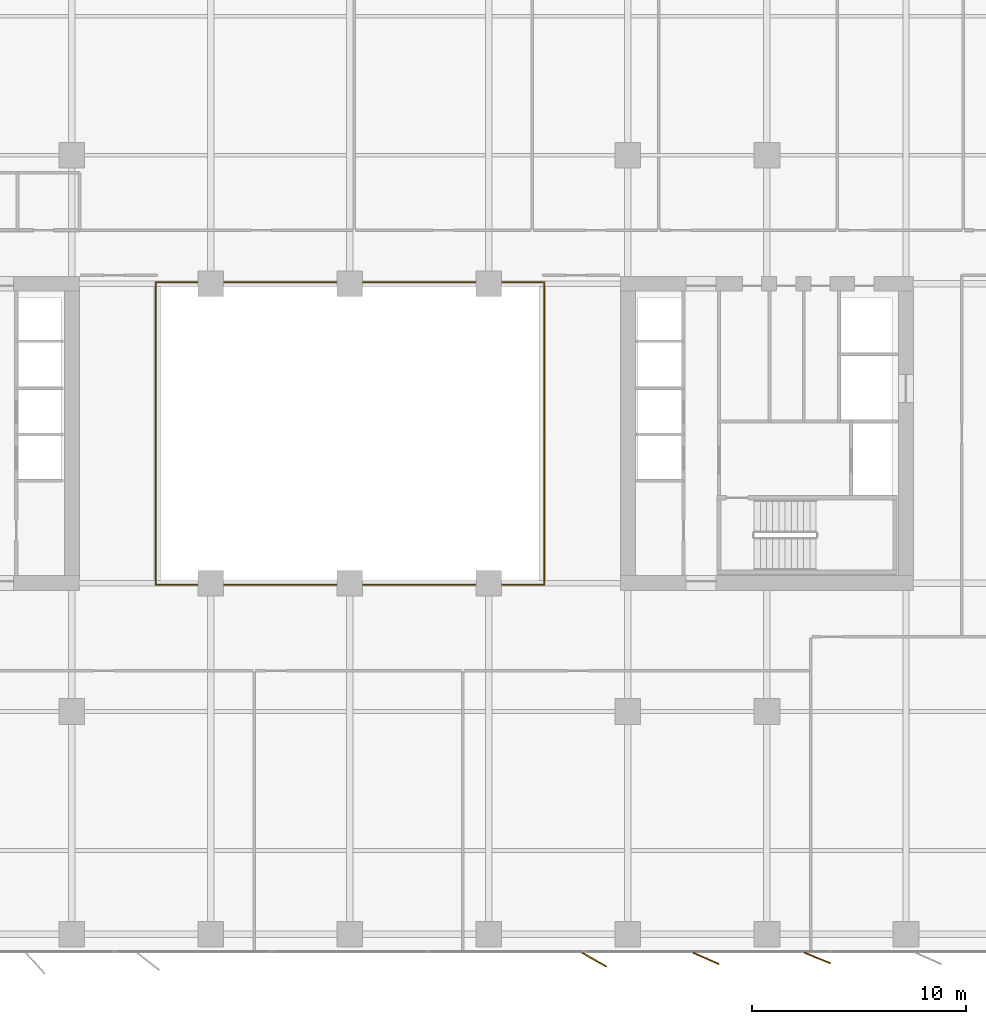
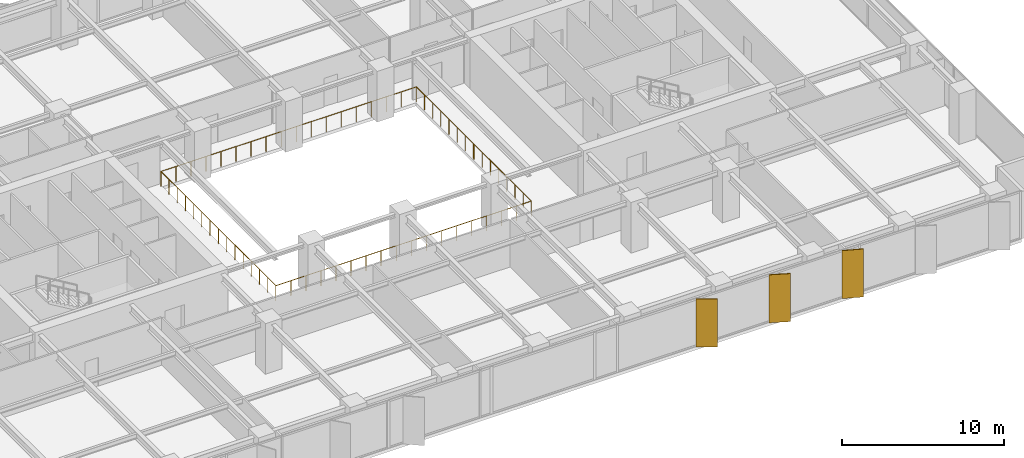
# One storey, part 18 of 20: 3 shading devices, 2 railings.
"""IFC4 building model written with IfcOpenShell, lengths in metres."""

from ifc_helpers import new_model, si_unit, direction, frame, origin, origin_2d, place, context, subcontext, project, spatial, rectangle, circle, extrude, material, layer, layer_set, type_object, element, save


model = new_model("IFC4")

# Units and contexts
model_context = context("Model", 3, precision=1e-05, world=origin(), true_north=direction((0.0, 1.0)))
body_context = subcontext(model_context, "Body", "Model", "MODEL_VIEW")
ifc_project = project(units=[si_unit("LENGTHUNIT", "METRE"), si_unit("AREAUNIT", "SQUARE_METRE"), si_unit("VOLUMEUNIT", "CUBIC_METRE"), si_unit("PLANEANGLEUNIT", "RADIAN"), si_unit("MASSUNIT", "GRAM", prefix="KILO")], contexts=[model_context])

# Site, building, storey
site_placement = place(None, origin())
site = spatial("IfcSite", under=ifc_project, at=site_placement, CompositionType="ELEMENT")
building_placement = place(site_placement, origin())
building = spatial("IfcBuilding", under=site, at=building_placement, Name="Putna Gate Headquarters", CompositionType="ELEMENT")
storey_placement = place(building_placement, frame((0.0, 0.0, 105.0)))
storey = spatial("IfcBuildingStorey", under=building, at=storey_placement, Name="L25", CompositionType="ELEMENT", Elevation=105.0)

# Railings
ifc_material_1 = material(Name="Anodised bronze and laminated glass atrium balustrade", Category="glass")
railing_type = type_object("IfcRailingType", Name="RAIL-ATRIUM-GUARD-1150", PredefinedType="GUARDRAIL", material=ifc_material_1)
railing_1_placement = place(storey_placement, frame((29.919921875, 25.969970703125, 0.0)))
element("IfcRailing", 1, at=railing_1_placement, inside=storey, type_object=railing_type, Name="L25 Central Atrium Glazed Balustrade South", PredefinedType="GUARDRAIL", context=body_context, shape_type="SweptSolid", body=[
    extrude(circle(Radius=0.02392578125, at=origin_2d()), frame((0.0, 0.0, 1.1259765625), z_axis=(0.0, -1.0, 0.0), x_axis=(1.0, 0.0, 0.0)), (0.0, 0.0, 1.0), 7.050048828125),
    extrude(circle(Radius=0.02392578125, at=origin_2d()), frame((0.0, -7.050048828125, 1.1259765625), z_axis=(1.0, 0.0, 0.0), x_axis=(0.0, 1.0, 0.0)), (0.0, 0.0, 1.0), 18.16015625),
    extrude(circle(Radius=0.02392578125, at=origin_2d()), frame((18.16015625, -7.050048828125, 1.1259765625), z_axis=(0.0, 1.0, 0.0), x_axis=(-1.0, 0.0, 0.0)), (0.0, 0.0, 1.0), 7.050048828125),
    extrude(circle(Radius=0.02099609375, at=origin_2d()), origin(), (0.0, 0.0, 1.0), 1.101806640625),
    extrude(circle(Radius=0.02099609375, at=origin_2d()), frame((0.0, -1.007080078125, 0.0)), (0.0, 0.0, 1.0), 1.101806640625),
    extrude(circle(Radius=0.02099609375, at=origin_2d()), frame((0.0, -2.014404296875, 0.0)), (0.0, 0.0, 1.0), 1.101806640625),
    extrude(circle(Radius=0.02099609375, at=origin_2d()), frame((0.0, -3.021484375, 0.0)), (0.0, 0.0, 1.0), 1.101806640625),
    extrude(circle(Radius=0.02099609375, at=origin_2d()), frame((0.0, -4.028564453125, 0.0)), (0.0, 0.0, 1.0), 1.101806640625),
    extrude(circle(Radius=0.02099609375, at=origin_2d()), frame((0.0, -5.03564453125, 0.0)), (0.0, 0.0, 1.0), 1.101806640625),
    extrude(circle(Radius=0.02099609375, at=origin_2d()), frame((0.0, -6.04296875, 0.0)), (0.0, 0.0, 1.0), 1.101806640625),
    extrude(circle(Radius=0.02099609375, at=origin_2d()), frame((0.0, -7.050048828125, 0.0)), (0.0, 0.0, 1.0), 1.101806640625),
    extrude(circle(Radius=0.02099609375, at=origin_2d()), frame((1.068359375, -7.050048828125, 0.0)), (0.0, 0.0, 1.0), 1.101806640625),
    extrude(circle(Radius=0.02099609375, at=origin_2d()), frame((2.136474609375, -7.050048828125, 0.0)), (0.0, 0.0, 1.0), 1.101806640625),
    extrude(circle(Radius=0.02099609375, at=origin_2d()), frame((3.204833984375, -7.050048828125, 0.0)), (0.0, 0.0, 1.0), 1.101806640625),
    extrude(circle(Radius=0.02099609375, at=origin_2d()), frame((4.27294921875, -7.050048828125, 0.0)), (0.0, 0.0, 1.0), 1.101806640625),
    extrude(circle(Radius=0.02099609375, at=origin_2d()), frame((5.34130859375, -7.050048828125, 0.0)), (0.0, 0.0, 1.0), 1.101806640625),
    extrude(circle(Radius=0.02099609375, at=origin_2d()), frame((6.409423828125, -7.050048828125, 0.0)), (0.0, 0.0, 1.0), 1.101806640625),
    extrude(circle(Radius=0.02099609375, at=origin_2d()), frame((7.477783203125, -7.050048828125, 0.0)), (0.0, 0.0, 1.0), 1.101806640625),
    extrude(circle(Radius=0.02099609375, at=origin_2d()), frame((8.5458984375, -7.050048828125, 0.0)), (0.0, 0.0, 1.0), 1.101806640625),
    extrude(circle(Radius=0.02099609375, at=origin_2d()), frame((9.6142578125, -7.050048828125, 0.0)), (0.0, 0.0, 1.0), 1.101806640625),
    extrude(circle(Radius=0.02099609375, at=origin_2d()), frame((10.682373046875, -7.050048828125, 0.0)), (0.0, 0.0, 1.0), 1.101806640625),
    extrude(circle(Radius=0.02099609375, at=origin_2d()), frame((11.750732421875, -7.050048828125, 0.0)), (0.0, 0.0, 1.0), 1.101806640625),
    extrude(circle(Radius=0.02099609375, at=origin_2d()), frame((12.81884765625, -7.050048828125, 0.0)), (0.0, 0.0, 1.0), 1.101806640625),
    extrude(circle(Radius=0.02099609375, at=origin_2d()), frame((13.88720703125, -7.050048828125, 0.0)), (0.0, 0.0, 1.0), 1.101806640625),
    extrude(circle(Radius=0.02099609375, at=origin_2d()), frame((14.955322265625, -7.050048828125, 0.0)), (0.0, 0.0, 1.0), 1.101806640625),
    extrude(circle(Radius=0.02099609375, at=origin_2d()), frame((16.023681640625, -7.050048828125, 0.0)), (0.0, 0.0, 1.0), 1.101806640625),
    extrude(circle(Radius=0.02099609375, at=origin_2d()), frame((17.091796875, -7.050048828125, 0.0)), (0.0, 0.0, 1.0), 1.101806640625),
    extrude(circle(Radius=0.02099609375, at=origin_2d()), frame((18.16015625, -7.050048828125, 0.0)), (0.0, 0.0, 1.0), 1.101806640625),
    extrude(circle(Radius=0.02099609375, at=origin_2d()), frame((18.16015625, -6.04296875, 0.0)), (0.0, 0.0, 1.0), 1.101806640625),
    extrude(circle(Radius=0.02099609375, at=origin_2d()), frame((18.16015625, -5.03564453125, 0.0)), (0.0, 0.0, 1.0), 1.101806640625),
    extrude(circle(Radius=0.02099609375, at=origin_2d()), frame((18.16015625, -4.028564453125, 0.0)), (0.0, 0.0, 1.0), 1.101806640625),
    extrude(circle(Radius=0.02099609375, at=origin_2d()), frame((18.16015625, -3.021484375, 0.0)), (0.0, 0.0, 1.0), 1.101806640625),
    extrude(circle(Radius=0.02099609375, at=origin_2d()), frame((18.16015625, -2.014404296875, 0.0)), (0.0, 0.0, 1.0), 1.101806640625),
    extrude(circle(Radius=0.02099609375, at=origin_2d()), frame((18.16015625, -1.007080078125, 0.0)), (0.0, 0.0, 1.0), 1.101806640625),
    extrude(circle(Radius=0.02099609375, at=origin_2d()), frame((18.16015625, 0.0, 0.0)), (0.0, 0.0, 1.0), 1.101806640625),
])
railing_2_placement = place(storey_placement, frame((48.080078125, 26.030029296875, 0.0)))
element("IfcRailing", 2, at=railing_2_placement, inside=storey, type_object=railing_type, Name="L25 Central Atrium Glazed Balustrade North", PredefinedType="GUARDRAIL", context=body_context, shape_type="SweptSolid", body=[
    extrude(circle(Radius=0.02392578125, at=origin_2d()), frame((0.0, 0.0, 1.1259765625), z_axis=(0.0, 1.0, 0.0), x_axis=(-1.0, 0.0, 0.0)), (0.0, 0.0, 1.0), 7.050048828125),
    extrude(circle(Radius=0.02392578125, at=origin_2d()), frame((0.0, 7.050048828125, 1.1259765625), z_axis=(-1.0, 0.0, 0.0), x_axis=(0.0, -1.0, 0.0)), (0.0, 0.0, 1.0), 18.16015625),
    extrude(circle(Radius=0.02392578125, at=origin_2d()), frame((-18.16015625, 7.050048828125, 1.1259765625), z_axis=(0.0, -1.0, 0.0), x_axis=(1.0, 0.0, 0.0)), (0.0, 0.0, 1.0), 7.050048828125),
    extrude(circle(Radius=0.02099609375, at=origin_2d()), origin(), (0.0, 0.0, 1.0), 1.101806640625),
    extrude(circle(Radius=0.02099609375, at=origin_2d()), frame((0.0, 1.007080078125, 0.0)), (0.0, 0.0, 1.0), 1.101806640625),
    extrude(circle(Radius=0.02099609375, at=origin_2d()), frame((0.0, 2.014404296875, 0.0)), (0.0, 0.0, 1.0), 1.101806640625),
    extrude(circle(Radius=0.02099609375, at=origin_2d()), frame((0.0, 3.021484375, 0.0)), (0.0, 0.0, 1.0), 1.101806640625),
    extrude(circle(Radius=0.02099609375, at=origin_2d()), frame((0.0, 4.028564453125, 0.0)), (0.0, 0.0, 1.0), 1.101806640625),
    extrude(circle(Radius=0.02099609375, at=origin_2d()), frame((0.0, 5.03564453125, 0.0)), (0.0, 0.0, 1.0), 1.101806640625),
    extrude(circle(Radius=0.02099609375, at=origin_2d()), frame((0.0, 6.04296875, 0.0)), (0.0, 0.0, 1.0), 1.101806640625),
    extrude(circle(Radius=0.02099609375, at=origin_2d()), frame((0.0, 7.050048828125, 0.0)), (0.0, 0.0, 1.0), 1.101806640625),
    extrude(circle(Radius=0.02099609375, at=origin_2d()), frame((-1.068359375, 7.050048828125, 0.0)), (0.0, 0.0, 1.0), 1.101806640625),
    extrude(circle(Radius=0.02099609375, at=origin_2d()), frame((-2.136474609375, 7.050048828125, 0.0)), (0.0, 0.0, 1.0), 1.101806640625),
    extrude(circle(Radius=0.02099609375, at=origin_2d()), frame((-3.204833984375, 7.050048828125, 0.0)), (0.0, 0.0, 1.0), 1.101806640625),
    extrude(circle(Radius=0.02099609375, at=origin_2d()), frame((-4.27294921875, 7.050048828125, 0.0)), (0.0, 0.0, 1.0), 1.101806640625),
    extrude(circle(Radius=0.02099609375, at=origin_2d()), frame((-5.34130859375, 7.050048828125, 0.0)), (0.0, 0.0, 1.0), 1.101806640625),
    extrude(circle(Radius=0.02099609375, at=origin_2d()), frame((-6.409423828125, 7.050048828125, 0.0)), (0.0, 0.0, 1.0), 1.101806640625),
    extrude(circle(Radius=0.02099609375, at=origin_2d()), frame((-7.477783203125, 7.050048828125, 0.0)), (0.0, 0.0, 1.0), 1.101806640625),
    extrude(circle(Radius=0.02099609375, at=origin_2d()), frame((-8.5458984375, 7.050048828125, 0.0)), (0.0, 0.0, 1.0), 1.101806640625),
    extrude(circle(Radius=0.02099609375, at=origin_2d()), frame((-9.6142578125, 7.050048828125, 0.0)), (0.0, 0.0, 1.0), 1.101806640625),
    extrude(circle(Radius=0.02099609375, at=origin_2d()), frame((-10.682373046875, 7.050048828125, 0.0)), (0.0, 0.0, 1.0), 1.101806640625),
    extrude(circle(Radius=0.02099609375, at=origin_2d()), frame((-11.750732421875, 7.050048828125, 0.0)), (0.0, 0.0, 1.0), 1.101806640625),
    extrude(circle(Radius=0.02099609375, at=origin_2d()), frame((-12.81884765625, 7.050048828125, 0.0)), (0.0, 0.0, 1.0), 1.101806640625),
    extrude(circle(Radius=0.02099609375, at=origin_2d()), frame((-13.88720703125, 7.050048828125, 0.0)), (0.0, 0.0, 1.0), 1.101806640625),
    extrude(circle(Radius=0.02099609375, at=origin_2d()), frame((-14.955322265625, 7.050048828125, 0.0)), (0.0, 0.0, 1.0), 1.101806640625),
    extrude(circle(Radius=0.02099609375, at=origin_2d()), frame((-16.023681640625, 7.050048828125, 0.0)), (0.0, 0.0, 1.0), 1.101806640625),
    extrude(circle(Radius=0.02099609375, at=origin_2d()), frame((-17.091796875, 7.050048828125, 0.0)), (0.0, 0.0, 1.0), 1.101806640625),
    extrude(circle(Radius=0.02099609375, at=origin_2d()), frame((-18.16015625, 7.050048828125, 0.0)), (0.0, 0.0, 1.0), 1.101806640625),
    extrude(circle(Radius=0.02099609375, at=origin_2d()), frame((-18.16015625, 6.04296875, 0.0)), (0.0, 0.0, 1.0), 1.101806640625),
    extrude(circle(Radius=0.02099609375, at=origin_2d()), frame((-18.16015625, 5.03564453125, 0.0)), (0.0, 0.0, 1.0), 1.101806640625),
    extrude(circle(Radius=0.02099609375, at=origin_2d()), frame((-18.16015625, 4.028564453125, 0.0)), (0.0, 0.0, 1.0), 1.101806640625),
    extrude(circle(Radius=0.02099609375, at=origin_2d()), frame((-18.16015625, 3.021484375, 0.0)), (0.0, 0.0, 1.0), 1.101806640625),
    extrude(circle(Radius=0.02099609375, at=origin_2d()), frame((-18.16015625, 2.014404296875, 0.0)), (0.0, 0.0, 1.0), 1.101806640625),
    extrude(circle(Radius=0.02099609375, at=origin_2d()), frame((-18.16015625, 1.007080078125, 0.0)), (0.0, 0.0, 1.0), 1.101806640625),
    extrude(circle(Radius=0.02099609375, at=origin_2d()), frame((-18.16015625, 0.0, 0.0)), (0.0, 0.0, 1.0), 1.101806640625),
])

# Shading devices
ifc_material_2 = material(Name="Anodised architectural bronze aluminium fin", Category="aluminium")
ifc_layer = layer(ifc_material_2, 0.06494140625)
ifc_layer_set = layer_set([ifc_layer], Name="Anodised architectural bronze aluminium fin")
shading_device_type = type_object("IfcShadingDeviceType", Name="SHADE-BRONZE-FIN-1320", PredefinedType="USERDEFINED", material=ifc_layer_set)
for number, where, z_axis, x_axis, name in (
    (3, (50.423828125, 1.398681640625, -0.02001953125), (0.0, 0.0, 1.0), (0.869322458298, -0.494245347472, 0.0), "L25 Bronze Vertical Shading Fin S8"),
    (4, (55.653076171875, 1.456787109375, -0.02001953125), (0.0, 0.0, 1.0), (0.913687379856, -0.40641773078, 0.0), "L25 Bronze Vertical Shading Fin S9"),
    (5, (60.86181640625, 1.477783203125, -0.02001953125), (0.0, 0.0, 1.0), (0.927183854567, -0.374606593416, 0.0), "L25 Bronze Vertical Shading Fin S10"),
):
    element("IfcShadingDevice", number, at=place(storey_placement, frame(where, z_axis=z_axis, x_axis=x_axis)), inside=storey, type_object=shading_device_type, Name=name, ObjectType="FIN", PredefinedType="USERDEFINED", context=body_context, shape_type="SweptSolid", body=[
        extrude(rectangle(XDim=1.320068359375, YDim=0.06494140625, at=origin_2d()), origin(), (0.0, 0.0, 1.0), 3.60498046875),
    ])

save(model, "model.ifc")
